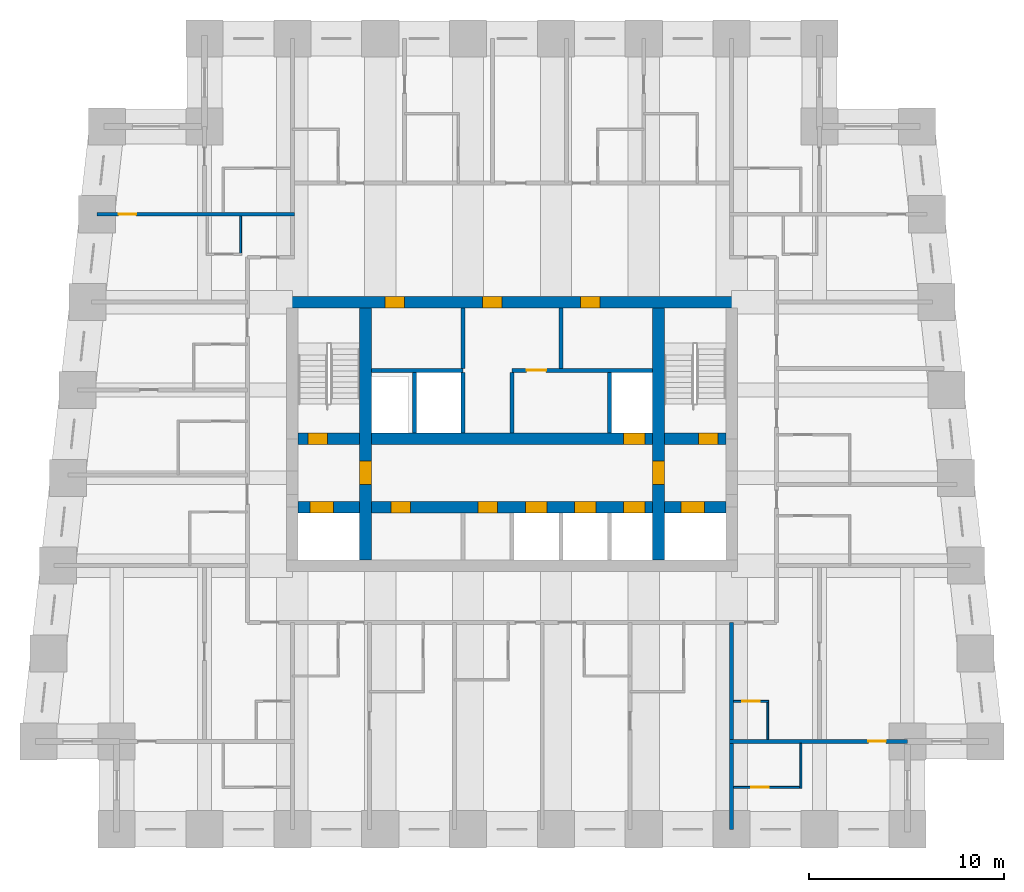
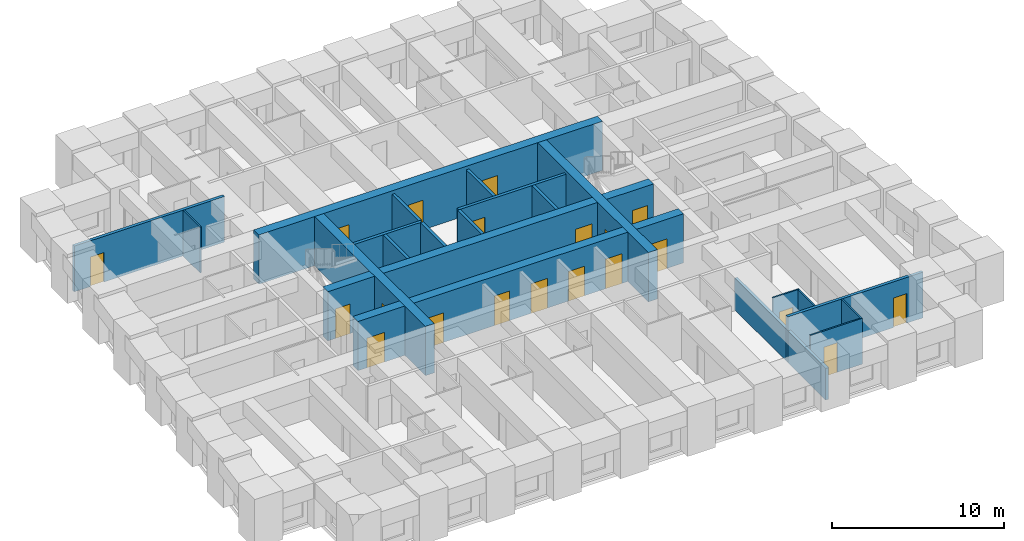
# One storey, part 4 of 8: 21 walls, 20 doors, 20 openings.
"""IFC4 building model written with IfcOpenShell, lengths in metres."""

from ifc_helpers import new_model, si_unit, direction, frame, frame_2d, origin, place, context, subcontext, project, spatial, rectangle, extrude, material, layer, layer_set, type_object, element, fill, save


model = new_model("IFC4")

# Units and contexts
model_context = context("Model", 3, precision=1e-05, world=origin(), true_north=direction((0.0, 1.0)))
body_context = subcontext(model_context, "Body", "Model", "MODEL_VIEW")
ifc_project = project(units=[si_unit("LENGTHUNIT", "METRE"), si_unit("AREAUNIT", "SQUARE_METRE"), si_unit("VOLUMEUNIT", "CUBIC_METRE"), si_unit("PLANEANGLEUNIT", "RADIAN"), si_unit("MASSUNIT", "GRAM", prefix="KILO")], contexts=[model_context])

# Site, building, storey
site_placement = place(None, origin())
site = spatial("IfcSite", under=ifc_project, at=site_placement, CompositionType="ELEMENT")
building_placement = place(site_placement, origin())
building = spatial("IfcBuilding", under=site, at=building_placement, Name="Kilele Tower Hotel", CompositionType="ELEMENT")
storey_placement = place(building_placement, frame((0.0, 0.0, 110.89990234375)))
storey = spatial("IfcBuildingStorey", under=building, at=storey_placement, Name="L28", CompositionType="ELEMENT", Elevation=110.89990234375)

# Wall
ifc_material_1 = material(Name="Moisture-resistant board")
ifc_layer_1 = layer(ifc_material_1, 0.10009765625)
ifc_layer_set_1 = layer_set([ifc_layer_1], Name="Moisture-resistant board")
wall_type_1 = type_object("IfcWallType", Name="Bathroom partition 100", PredefinedType="PLUMBINGWALL", material=ifc_layer_set_1)
wall_1_placement = place(storey_placement, frame((37.85009765625, 4.60009765625, 0.0), z_axis=(0.0, 0.0, 1.0), x_axis=(0.0, 1.0, 0.0)))
element("IfcWall", 1, at=wall_1_placement, inside=storey, type_object=wall_type_1, Name="Bathroom partition 100 L28", PredefinedType="PLUMBINGWALL", context=body_context, shape_type="SweptSolid", body=[
    extrude(rectangle(XDim=2.0, YDim=0.10009765625, at=frame_2d((1.0, 0.0))), origin(), (0.0, 0.0, 1.0), 3.25),
])

# Wall, opening, door
wall_2_placement = place(storey_placement, frame((36.10009765625, 6.550048828125, 0.0), z_axis=(0.0, 0.0, 1.0), x_axis=(1.0, 0.0, 0.0)))
wall_2 = element("IfcWall", 2, at=wall_2_placement, inside=storey, type_object=wall_type_1, Name="Bathroom partition 100 L28", PredefinedType="PLUMBINGWALL", context=body_context, shape_type="SweptSolid", body=[
    extrude(rectangle(XDim=1.7998046875, YDim=0.10009765625, at=frame_2d((0.89990234375, 0.0))), origin(), (0.0, 0.0, 1.0), 3.25),
])
opening_1_placement = place(wall_2_placement, frame((0.449951171875, 0.0, 0.0)))
opening_1 = element("IfcOpeningElement", 3, at=opening_1_placement, cuts=wall_2, Name="Opening D2A", PredefinedType="OPENING", context=body_context, shape_type="SweptSolid", body=[
    extrude(rectangle(XDim=0.89990234375, YDim=2.10009765625, at=frame_2d((0.449951171875, 1.050048828125))), frame((0.0, 0.06005859375, 0.0), z_axis=(0.0, -1.0, 0.0), x_axis=(1.0, 0.0, 0.0)), (0.0, 0.0, 1.0), 0.1201171875),
])
ifc_material_2 = material(Name="Timber door leaf in hardwood frame", Category="wood")
door_type_1 = type_object("IfcDoorType", Name="Bathroom door 900", OperationType="SINGLE_SWING_LEFT", PredefinedType="DOOR", material=ifc_material_2)
door_1_placement = place(opening_1_placement, origin())
door_1 = element("IfcDoor", 4, at=door_1_placement, inside=storey, type_object=door_type_1, Name="Bathroom door 2820P", OperationType="SINGLE_SWING_LEFT", OverallHeight=2.10009765625, OverallWidth=0.89990234375, PredefinedType="DOOR", context=body_context, shape_type="SweptSolid", body=[
    extrude(rectangle(XDim=0.89990234375, YDim=2.10009765625, at=frame_2d((0.449951171875, 1.050048828125))), frame((0.0, 0.02490234375, 0.0), z_axis=(0.0, -1.0, 0.0), x_axis=(1.0, 0.0, 0.0)), (0.0, 0.0, 1.0), 0.050048828125),
])
fill(opening_1, door_1)

# Wall
wall_3_placement = place(storey_placement, frame((39.550048828125, 4.39990234375, 0.0), z_axis=(0.0, 0.0, 1.0), x_axis=(0.0, -1.0, 0.0)))
element("IfcWall", 5, at=wall_3_placement, inside=storey, type_object=wall_type_1, Name="Bathroom partition 100 L28", PredefinedType="PLUMBINGWALL", context=body_context, shape_type="SweptSolid", body=[
    extrude(rectangle(XDim=2.2998046875, YDim=0.10009765625, at=frame_2d((1.14990234375, 0.0))), origin(), (0.0, 0.0, 1.0), 3.25),
])

# Wall, opening, door
wall_4_placement = place(storey_placement, frame((36.10009765625, 2.14990234375, 0.0), z_axis=(0.0, 0.0, 1.0), x_axis=(1.0, 0.0, 0.0)))
wall_4 = element("IfcWall", 6, at=wall_4_placement, inside=storey, type_object=wall_type_1, Name="Bathroom partition 100 L28", PredefinedType="PLUMBINGWALL", context=body_context, shape_type="SweptSolid", body=[
    extrude(rectangle(XDim=3.5, YDim=0.10009765625, at=frame_2d((1.75, 0.0))), origin(), (0.0, 0.0, 1.0), 3.25),
])
opening_2_placement = place(wall_4_placement, frame((1.7998046875, 0.0, 0.0), z_axis=(0.0, 0.0, 1.0), x_axis=(-1.0, 0.0, 0.0)))
opening_2 = element("IfcOpeningElement", 7, at=opening_2_placement, cuts=wall_4, Name="Opening D2A", PredefinedType="OPENING", context=body_context, shape_type="SweptSolid", body=[
    extrude(rectangle(XDim=0.89990234375, YDim=2.10009765625, at=frame_2d((0.449951171875, 1.050048828125))), frame((0.0, 0.06005859375, 0.0), z_axis=(0.0, -1.0, 0.0), x_axis=(1.0, 0.0, 0.0)), (0.0, 0.0, 1.0), 0.1201171875),
])
door_2_placement = place(opening_2_placement, origin())
door_2 = element("IfcDoor", 8, at=door_2_placement, inside=storey, type_object=door_type_1, Name="Bathroom door 2822B", OperationType="SINGLE_SWING_RIGHT", OverallHeight=2.10009765625, OverallWidth=0.89990234375, PredefinedType="DOOR", context=body_context, shape_type="SweptSolid", body=[
    extrude(rectangle(XDim=0.89990234375, YDim=2.10009765625, at=frame_2d((0.449951171875, 1.050048828125))), frame((0.0, 0.02490234375, 0.0), z_axis=(0.0, -1.0, 0.0), x_axis=(1.0, 0.0, 0.0)), (0.0, 0.0, 1.0), 0.050048828125),
])
fill(opening_2, door_2)

# Wall
wall_5_placement = place(storey_placement, frame((10.85009765625, 31.39990234375, 0.0), z_axis=(0.0, 0.0, 1.0), x_axis=(0.0, -1.0, 0.0)))
element("IfcWall", 9, at=wall_5_placement, inside=storey, type_object=wall_type_1, Name="Bathroom partition 100 L28", PredefinedType="PLUMBINGWALL", context=body_context, shape_type="SweptSolid", body=[
    extrude(rectangle(XDim=2.0, YDim=0.10009765625, at=frame_2d((1.0, 0.0))), origin(), (0.0, 0.0, 1.0), 3.25),
])

# Wall, openings, doors
ifc_material_3 = material(Name="Concrete C60/75", Category="concrete")
ifc_layer_2 = layer(ifc_material_3, 0.60009765625)
ifc_layer_set_2 = layer_set([ifc_layer_2], Name="Concrete C60/75")
wall_type_2 = type_object("IfcWallType", Name="Core wall 600 C60/75", PredefinedType="SHEAR", material=ifc_layer_set_2)
wall_6_placement = place(storey_placement, frame((36.300048828125, 27.0, 0.0), z_axis=(0.0, 0.0, 1.0), x_axis=(-1.0, 0.0, 0.0)))
wall_6 = element("IfcWall", 10, at=wall_6_placement, inside=storey, type_object=wall_type_2, Name="Core wall N L28", PredefinedType="SHEAR", context=body_context, shape_type="SweptSolid", body=[
    extrude(rectangle(XDim=23.10009765625, YDim=0.60009765625, at=frame_2d((11.550048828125, 0.0))), origin(), (0.0, 0.0, 1.0), 3.5),
])
opening_3_placement = place(wall_6_placement, frame((17.050048828125, 0.0, 0.0)))
opening_3 = element("IfcOpeningElement", 11, at=opening_3_placement, cuts=wall_6, Name="Opening D6", PredefinedType="OPENING", context=body_context, shape_type="SweptSolid", body=[
    extrude(rectangle(XDim=1.0, YDim=2.10009765625, at=frame_2d((0.5, 1.050048828125))), frame((0.0, 0.31005859375, 0.0), z_axis=(0.0, -1.0, 0.0), x_axis=(1.0, 0.0, 0.0)), (0.0, 0.0, 1.0), 0.6201171875),
])
opening_4_placement = place(wall_6_placement, frame((12.050048828125, 0.0, 0.0)))
opening_4 = element("IfcOpeningElement", 12, at=opening_4_placement, cuts=wall_6, Name="Opening D6", PredefinedType="OPENING", context=body_context, shape_type="SweptSolid", body=[
    extrude(rectangle(XDim=1.0, YDim=2.10009765625, at=frame_2d((0.5, 1.050048828125))), frame((0.0, 0.31005859375, 0.0), z_axis=(0.0, -1.0, 0.0), x_axis=(1.0, 0.0, 0.0)), (0.0, 0.0, 1.0), 0.6201171875),
])
opening_5_placement = place(wall_6_placement, frame((7.050048828125, 0.0, 0.0)))
opening_5 = element("IfcOpeningElement", 13, at=opening_5_placement, cuts=wall_6, Name="Opening D6", PredefinedType="OPENING", context=body_context, shape_type="SweptSolid", body=[
    extrude(rectangle(XDim=1.0, YDim=2.10009765625, at=frame_2d((0.5, 1.050048828125))), frame((0.0, 0.31005859375, 0.0), z_axis=(0.0, -1.0, 0.0), x_axis=(1.0, 0.0, 0.0)), (0.0, 0.0, 1.0), 0.6201171875),
])
ifc_material_4 = material(Name="Timber door leaf in hardwood frame", Category="wood")
door_type_2 = type_object("IfcDoorType", Name="Riser door 1000", OperationType="SINGLE_SWING_LEFT", PredefinedType="DOOR", material=ifc_material_4)
door_3_placement = place(opening_3_placement, origin())
door_3 = element("IfcDoor", 14, at=door_3_placement, inside=storey, type_object=door_type_2, Name="Service riser door L28", OperationType="SINGLE_SWING_RIGHT", OverallHeight=2.10009765625, OverallWidth=1.0, PredefinedType="DOOR", context=body_context, shape_type="SweptSolid", body=[
    extrude(rectangle(XDim=1.0, YDim=2.10009765625, at=frame_2d((0.5, 1.050048828125))), frame((0.0, 0.2998046875, 0.0), z_axis=(0.0, -1.0, 0.0), x_axis=(1.0, 0.0, 0.0)), (0.0, 0.0, 1.0), 0.599609375),
])
fill(opening_3, door_3)
door_4_placement = place(opening_4_placement, origin())
door_4 = element("IfcDoor", 15, at=door_4_placement, inside=storey, type_object=door_type_2, Name="Linen store door L28", OperationType="SINGLE_SWING_RIGHT", OverallHeight=2.10009765625, OverallWidth=1.0, PredefinedType="DOOR", context=body_context, shape_type="SweptSolid", body=[
    extrude(rectangle(XDim=1.0, YDim=2.10009765625, at=frame_2d((0.5, 1.050048828125))), frame((0.0, 0.2998046875, 0.0), z_axis=(0.0, -1.0, 0.0), x_axis=(1.0, 0.0, 0.0)), (0.0, 0.0, 1.0), 0.599609375),
])
fill(opening_4, door_4)
door_5_placement = place(opening_5_placement, origin())
door_5 = element("IfcDoor", 16, at=door_5_placement, inside=storey, type_object=door_type_2, Name="Electrical riser door L28", OperationType="SINGLE_SWING_RIGHT", OverallHeight=2.10009765625, OverallWidth=1.0, PredefinedType="DOOR", context=body_context, shape_type="SweptSolid", body=[
    extrude(rectangle(XDim=1.0, YDim=2.10009765625, at=frame_2d((0.5, 1.050048828125))), frame((0.0, 0.2998046875, 0.0), z_axis=(0.0, -1.0, 0.0), x_axis=(1.0, 0.0, 0.0)), (0.0, 0.0, 1.0), 0.599609375),
])
fill(opening_5, door_5)

# Wall, opening, door
wall_7_placement = place(storey_placement, frame((17.25, 13.800048828125, 0.0), z_axis=(0.0, 0.0, 1.0), x_axis=(0.0, 1.0, 0.0)))
wall_7 = element("IfcWall", 17, at=wall_7_placement, inside=storey, type_object=wall_type_2, Name="Core wall IW L28", PredefinedType="SHEAR", context=body_context, shape_type="SweptSolid", body=[
    extrude(rectangle(XDim=12.89990234375, YDim=0.60009765625, at=frame_2d((6.449951171875, 0.0))), origin(), (0.0, 0.0, 1.0), 3.5),
])
opening_6_placement = place(wall_7_placement, frame((3.85009765625, 0.0, 0.0)))
opening_6 = element("IfcOpeningElement", 18, at=opening_6_placement, cuts=wall_7, Name="Opening D4", PredefinedType="OPENING", context=body_context, shape_type="SweptSolid", body=[
    extrude(rectangle(XDim=1.199951171875, YDim=2.10009765625, at=frame_2d((0.60009765625, 1.050048828125))), frame((0.0, 0.31005859375, 0.0), z_axis=(0.0, -1.0, 0.0), x_axis=(1.0, 0.0, 0.0)), (0.0, 0.0, 1.0), 0.6201171875),
])
ifc_material_5 = material(Name="Timber door leaf in hardwood frame", Category="wood")
door_type_3 = type_object("IfcDoorType", Name="Firefighting lobby door 1200", OperationType="SINGLE_SWING_LEFT", PredefinedType="DOOR", material=ifc_material_5)
door_6_placement = place(opening_6_placement, origin())
door_6 = element("IfcDoor", 19, at=door_6_placement, inside=storey, type_object=door_type_3, Name="Lobby door L28", OperationType="SINGLE_SWING_LEFT", OverallHeight=2.10009765625, OverallWidth=1.199951171875, PredefinedType="DOOR", context=body_context, shape_type="SweptSolid", body=[
    extrude(rectangle(XDim=1.199951171875, YDim=2.10009765625, at=frame_2d((0.60009765625, 1.050048828125))), frame((0.0, 0.2998046875, 0.0), z_axis=(0.0, -1.0, 0.0), x_axis=(1.0, 0.0, 0.0)), (0.0, 0.0, 1.0), 0.599609375),
])
fill(opening_6, door_6)

wall_8_placement = place(storey_placement, frame((32.25, 13.800048828125, 0.0), z_axis=(0.0, 0.0, 1.0), x_axis=(0.0, 1.0, 0.0)))
wall_8 = element("IfcWall", 20, at=wall_8_placement, inside=storey, type_object=wall_type_2, Name="Core wall IE L28", PredefinedType="SHEAR", context=body_context, shape_type="SweptSolid", body=[
    extrude(rectangle(XDim=12.89990234375, YDim=0.60009765625, at=frame_2d((6.449951171875, 0.0))), origin(), (0.0, 0.0, 1.0), 3.5),
])
opening_7_placement = place(wall_8_placement, frame((5.050048828125, 0.0, 0.0), z_axis=(0.0, 0.0, 1.0), x_axis=(-1.0, 0.0, 0.0)))
opening_7 = element("IfcOpeningElement", 21, at=opening_7_placement, cuts=wall_8, Name="Opening D4", PredefinedType="OPENING", context=body_context, shape_type="SweptSolid", body=[
    extrude(rectangle(XDim=1.199951171875, YDim=2.10009765625, at=frame_2d((0.60009765625, 1.050048828125))), frame((0.0, 0.31005859375, 0.0), z_axis=(0.0, -1.0, 0.0), x_axis=(1.0, 0.0, 0.0)), (0.0, 0.0, 1.0), 0.6201171875),
])
door_7_placement = place(opening_7_placement, origin())
door_7 = element("IfcDoor", 22, at=door_7_placement, inside=storey, type_object=door_type_3, Name="Lobby door L28", OperationType="SINGLE_SWING_RIGHT", OverallHeight=2.10009765625, OverallWidth=1.199951171875, PredefinedType="DOOR", context=body_context, shape_type="SweptSolid", body=[
    extrude(rectangle(XDim=1.199951171875, YDim=2.10009765625, at=frame_2d((0.60009765625, 1.050048828125))), frame((0.0, 0.2998046875, 0.0), z_axis=(0.0, -1.0, 0.0), x_axis=(1.0, 0.0, 0.0)), (0.0, 0.0, 1.0), 0.599609375),
])
fill(opening_7, door_7)

# Wall, openings, doors
wall_9_placement = place(storey_placement, frame((13.800048828125, 16.5, 0.0), z_axis=(0.0, 0.0, 1.0), x_axis=(1.0, 0.0, 0.0)))
wall_9 = element("IfcWall", 23, at=wall_9_placement, inside=storey, type_object=wall_type_2, Name="Core wall LS L28", PredefinedType="SHEAR", context=body_context, shape_type="SweptSolid", body=[
    extrude(rectangle(XDim=21.89990234375, YDim=0.60009765625, at=frame_2d((10.949951171875, 0.0))), origin(), (0.0, 0.0, 1.0), 3.5),
])
opening_8_placement = place(wall_9_placement, frame((11.64990234375, 0.0, 0.0)))
opening_8 = element("IfcOpeningElement", 24, at=opening_8_placement, cuts=wall_9, Name="Opening LD1", PredefinedType="OPENING", context=body_context, shape_type="SweptSolid", body=[
    extrude(rectangle(XDim=1.10009765625, YDim=2.10009765625, at=frame_2d((0.550048828125, 1.050048828125))), frame((0.0, 0.31005859375, 0.0), z_axis=(0.0, -1.0, 0.0), x_axis=(1.0, 0.0, 0.0)), (0.0, 0.0, 1.0), 0.6201171875),
])
opening_9_placement = place(wall_9_placement, frame((14.14990234375, 0.0, 0.0)))
opening_9 = element("IfcOpeningElement", 25, at=opening_9_placement, cuts=wall_9, Name="Opening LD1", PredefinedType="OPENING", context=body_context, shape_type="SweptSolid", body=[
    extrude(rectangle(XDim=1.10009765625, YDim=2.10009765625, at=frame_2d((0.550048828125, 1.050048828125))), frame((0.0, 0.31005859375, 0.0), z_axis=(0.0, -1.0, 0.0), x_axis=(1.0, 0.0, 0.0)), (0.0, 0.0, 1.0), 0.6201171875),
])
opening_10_placement = place(wall_9_placement, frame((16.64990234375, 0.0, 0.0)))
opening_10 = element("IfcOpeningElement", 26, at=opening_10_placement, cuts=wall_9, Name="Opening LD1", PredefinedType="OPENING", context=body_context, shape_type="SweptSolid", body=[
    extrude(rectangle(XDim=1.10009765625, YDim=2.10009765625, at=frame_2d((0.550048828125, 1.050048828125))), frame((0.0, 0.31005859375, 0.0), z_axis=(0.0, -1.0, 0.0), x_axis=(1.0, 0.0, 0.0)), (0.0, 0.0, 1.0), 0.6201171875),
])
opening_11_placement = place(wall_9_placement, frame((5.75, 0.0, 0.0), z_axis=(0.0, 0.0, 1.0), x_axis=(-1.0, 0.0, 0.0)))
opening_11 = element("IfcOpeningElement", 27, at=opening_11_placement, cuts=wall_9, Name="Opening D11", PredefinedType="OPENING", context=body_context, shape_type="SweptSolid", body=[
    extrude(rectangle(XDim=1.0, YDim=2.10009765625, at=frame_2d((0.5, 1.050048828125))), frame((0.0, 0.31005859375, 0.0), z_axis=(0.0, -1.0, 0.0), x_axis=(1.0, 0.0, 0.0)), (0.0, 0.0, 1.0), 0.6201171875),
])
opening_12_placement = place(wall_9_placement, frame((10.199951171875, 0.0, 0.0), z_axis=(0.0, 0.0, 1.0), x_axis=(-1.0, 0.0, 0.0)))
opening_12 = element("IfcOpeningElement", 28, at=opening_12_placement, cuts=wall_9, Name="Opening D11", PredefinedType="OPENING", context=body_context, shape_type="SweptSolid", body=[
    extrude(rectangle(XDim=1.0, YDim=2.10009765625, at=frame_2d((0.5, 1.050048828125))), frame((0.0, 0.31005859375, 0.0), z_axis=(0.0, -1.0, 0.0), x_axis=(1.0, 0.0, 0.0)), (0.0, 0.0, 1.0), 0.6201171875),
])
opening_13_placement = place(wall_9_placement, frame((0.60009765625, 0.0, 0.0)))
opening_13 = element("IfcOpeningElement", 29, at=opening_13_placement, cuts=wall_9, Name="Opening LD2", PredefinedType="OPENING", context=body_context, shape_type="SweptSolid", body=[
    extrude(rectangle(XDim=1.199951171875, YDim=2.10009765625, at=frame_2d((0.60009765625, 1.050048828125))), frame((0.0, 0.31005859375, 0.0), z_axis=(0.0, -1.0, 0.0), x_axis=(1.0, 0.0, 0.0)), (0.0, 0.0, 1.0), 0.6201171875),
])
opening_14_placement = place(wall_9_placement, frame((19.60009765625, 0.0, 0.0)))
opening_14 = element("IfcOpeningElement", 30, at=opening_14_placement, cuts=wall_9, Name="Opening LD2", PredefinedType="OPENING", context=body_context, shape_type="SweptSolid", body=[
    extrude(rectangle(XDim=1.199951171875, YDim=2.10009765625, at=frame_2d((0.60009765625, 1.050048828125))), frame((0.0, 0.31005859375, 0.0), z_axis=(0.0, -1.0, 0.0), x_axis=(1.0, 0.0, 0.0)), (0.0, 0.0, 1.0), 0.6201171875),
])
ifc_material_6 = material(Name="Timber door leaf in hardwood frame", Category="wood")
door_type_4 = type_object("IfcDoorType", Name="Core store door 1000", OperationType="SINGLE_SWING_LEFT", PredefinedType="DOOR", material=ifc_material_6)
door_8_placement = place(opening_11_placement, origin())
door_8 = element("IfcDoor", 31, at=door_8_placement, inside=storey, type_object=door_type_4, Name="Core room door L1 L28", OperationType="SINGLE_SWING_RIGHT", OverallHeight=2.10009765625, OverallWidth=1.0, PredefinedType="DOOR", context=body_context, shape_type="SweptSolid", body=[
    extrude(rectangle(XDim=1.0, YDim=2.10009765625, at=frame_2d((0.5, 1.050048828125))), frame((0.0, 0.2998046875, 0.0), z_axis=(0.0, -1.0, 0.0), x_axis=(1.0, 0.0, 0.0)), (0.0, 0.0, 1.0), 0.599609375),
])
fill(opening_11, door_8)
door_9_placement = place(opening_12_placement, origin())
door_9 = element("IfcDoor", 32, at=door_9_placement, inside=storey, type_object=door_type_4, Name="Core room door L3 L28", OperationType="SINGLE_SWING_RIGHT", OverallHeight=2.10009765625, OverallWidth=1.0, PredefinedType="DOOR", context=body_context, shape_type="SweptSolid", body=[
    extrude(rectangle(XDim=1.0, YDim=2.10009765625, at=frame_2d((0.5, 1.050048828125))), frame((0.0, 0.2998046875, 0.0), z_axis=(0.0, -1.0, 0.0), x_axis=(1.0, 0.0, 0.0)), (0.0, 0.0, 1.0), 0.599609375),
])
fill(opening_12, door_9)
ifc_material_7 = material(Name="Steel lift landing door", Category="steel")
door_type_5 = type_object("IfcDoorType", Name="Firefighting lift landing door 1200", OperationType="SLIDING_TO_LEFT", PredefinedType="DOOR", material=ifc_material_7)
door_10_placement = place(opening_13_placement, origin())
door_10 = element("IfcDoor", 33, at=door_10_placement, inside=storey, type_object=door_type_5, Name="Landing door FFW L28", OperationType="SLIDING_TO_LEFT", OverallHeight=2.10009765625, OverallWidth=1.199951171875, PredefinedType="DOOR", context=body_context, shape_type="SweptSolid", body=[
    extrude(rectangle(XDim=1.199951171875, YDim=2.10009765625, at=frame_2d((0.60009765625, 1.050048828125))), frame((0.0, 0.2998046875, 0.0), z_axis=(0.0, -1.0, 0.0), x_axis=(1.0, 0.0, 0.0)), (0.0, 0.0, 1.0), 0.599609375),
])
fill(opening_13, door_10)
door_11_placement = place(opening_14_placement, origin())
door_11 = element("IfcDoor", 34, at=door_11_placement, inside=storey, type_object=door_type_5, Name="Landing door FFE L28", OperationType="SLIDING_TO_LEFT", OverallHeight=2.10009765625, OverallWidth=1.199951171875, PredefinedType="DOOR", context=body_context, shape_type="SweptSolid", body=[
    extrude(rectangle(XDim=1.199951171875, YDim=2.10009765625, at=frame_2d((0.60009765625, 1.050048828125))), frame((0.0, 0.2998046875, 0.0), z_axis=(0.0, -1.0, 0.0), x_axis=(1.0, 0.0, 0.0)), (0.0, 0.0, 1.0), 0.599609375),
])
fill(opening_14, door_11)
ifc_material_8 = material(Name="Steel lift landing door", Category="steel")
door_type_6 = type_object("IfcDoorType", Name="Lift landing door 1100", OperationType="SLIDING_TO_LEFT", PredefinedType="DOOR", material=ifc_material_8)
door_12_placement = place(opening_8_placement, origin())
door_12 = element("IfcDoor", 35, at=door_12_placement, inside=storey, type_object=door_type_6, Name="Landing door M1 L28", OperationType="SLIDING_TO_LEFT", OverallHeight=2.10009765625, OverallWidth=1.10009765625, PredefinedType="DOOR", context=body_context, shape_type="SweptSolid", body=[
    extrude(rectangle(XDim=1.10009765625, YDim=2.10009765625, at=frame_2d((0.550048828125, 1.050048828125))), frame((0.0, 0.2998046875, 0.0), z_axis=(0.0, -1.0, 0.0), x_axis=(1.0, 0.0, 0.0)), (0.0, 0.0, 1.0), 0.599609375),
])
fill(opening_8, door_12)
door_13_placement = place(opening_9_placement, origin())
door_13 = element("IfcDoor", 36, at=door_13_placement, inside=storey, type_object=door_type_6, Name="Landing door M2 L28", OperationType="SLIDING_TO_LEFT", OverallHeight=2.10009765625, OverallWidth=1.10009765625, PredefinedType="DOOR", context=body_context, shape_type="SweptSolid", body=[
    extrude(rectangle(XDim=1.10009765625, YDim=2.10009765625, at=frame_2d((0.550048828125, 1.050048828125))), frame((0.0, 0.2998046875, 0.0), z_axis=(0.0, -1.0, 0.0), x_axis=(1.0, 0.0, 0.0)), (0.0, 0.0, 1.0), 0.599609375),
])
fill(opening_9, door_13)
door_14_placement = place(opening_10_placement, origin())
door_14 = element("IfcDoor", 37, at=door_14_placement, inside=storey, type_object=door_type_6, Name="Landing door M3 L28", OperationType="SLIDING_TO_LEFT", OverallHeight=2.10009765625, OverallWidth=1.10009765625, PredefinedType="DOOR", context=body_context, shape_type="SweptSolid", body=[
    extrude(rectangle(XDim=1.10009765625, YDim=2.10009765625, at=frame_2d((0.550048828125, 1.050048828125))), frame((0.0, 0.2998046875, 0.0), z_axis=(0.0, -1.0, 0.0), x_axis=(1.0, 0.0, 0.0)), (0.0, 0.0, 1.0), 0.599609375),
])
fill(opening_10, door_14)

wall_10_placement = place(storey_placement, frame((13.800048828125, 20.0, 0.0), z_axis=(0.0, 0.0, 1.0), x_axis=(1.0, 0.0, 0.0)))
wall_10 = element("IfcWall", 38, at=wall_10_placement, inside=storey, type_object=wall_type_2, Name="Core wall LN L28", PredefinedType="SHEAR", context=body_context, shape_type="SweptSolid", body=[
    extrude(rectangle(XDim=21.89990234375, YDim=0.60009765625, at=frame_2d((10.949951171875, 0.0))), origin(), (0.0, 0.0, 1.0), 3.5),
])
opening_15_placement = place(wall_10_placement, frame((0.5, 0.0, 0.0)))
opening_15 = element("IfcOpeningElement", 39, at=opening_15_placement, cuts=wall_10, Name="Opening D5", PredefinedType="OPENING", context=body_context, shape_type="SweptSolid", body=[
    extrude(rectangle(XDim=1.0, YDim=2.10009765625, at=frame_2d((0.5, 1.050048828125))), frame((0.0, 0.31005859375, 0.0), z_axis=(0.0, -1.0, 0.0), x_axis=(1.0, 0.0, 0.0)), (0.0, 0.0, 1.0), 0.6201171875),
])
opening_16_placement = place(wall_10_placement, frame((20.5, 0.0, 0.0)))
opening_16 = element("IfcOpeningElement", 40, at=opening_16_placement, cuts=wall_10, Name="Opening D5", PredefinedType="OPENING", context=body_context, shape_type="SweptSolid", body=[
    extrude(rectangle(XDim=1.0, YDim=2.10009765625, at=frame_2d((0.5, 1.050048828125))), frame((0.0, 0.31005859375, 0.0), z_axis=(0.0, -1.0, 0.0), x_axis=(1.0, 0.0, 0.0)), (0.0, 0.0, 1.0), 0.6201171875),
])
opening_17_placement = place(wall_10_placement, frame((16.64990234375, 0.0, 0.0)))
opening_17 = element("IfcOpeningElement", 41, at=opening_17_placement, cuts=wall_10, Name="Opening LD1", PredefinedType="OPENING", context=body_context, shape_type="SweptSolid", body=[
    extrude(rectangle(XDim=1.10009765625, YDim=2.10009765625, at=frame_2d((0.550048828125, 1.050048828125))), frame((0.0, 0.31005859375, 0.0), z_axis=(0.0, -1.0, 0.0), x_axis=(1.0, 0.0, 0.0)), (0.0, 0.0, 1.0), 0.6201171875),
])
door_15_placement = place(opening_17_placement, origin())
door_15 = element("IfcDoor", 42, at=door_15_placement, inside=storey, type_object=door_type_6, Name="Landing door G1 L28", OperationType="SLIDING_TO_LEFT", OverallHeight=2.10009765625, OverallWidth=1.10009765625, PredefinedType="DOOR", context=body_context, shape_type="SweptSolid", body=[
    extrude(rectangle(XDim=1.10009765625, YDim=2.10009765625, at=frame_2d((0.550048828125, 1.050048828125))), frame((0.0, 0.2998046875, 0.0), z_axis=(0.0, -1.0, 0.0), x_axis=(1.0, 0.0, 0.0)), (0.0, 0.0, 1.0), 0.599609375),
])
fill(opening_17, door_15)
ifc_material_9 = material(Name="Timber door leaf in hardwood frame", Category="wood")
door_type_7 = type_object("IfcDoorType", Name="Stair door 1000", OperationType="SINGLE_SWING_LEFT", PredefinedType="DOOR", material=ifc_material_9)
door_16_placement = place(opening_15_placement, origin())
door_16 = element("IfcDoor", 43, at=door_16_placement, inside=storey, type_object=door_type_7, Name="Stair 1 door L28", OperationType="SINGLE_SWING_LEFT", OverallHeight=2.10009765625, OverallWidth=1.0, PredefinedType="DOOR", context=body_context, shape_type="SweptSolid", body=[
    extrude(rectangle(XDim=1.0, YDim=2.10009765625, at=frame_2d((0.5, 1.050048828125))), frame((0.0, 0.2998046875, 0.0), z_axis=(0.0, -1.0, 0.0), x_axis=(1.0, 0.0, 0.0)), (0.0, 0.0, 1.0), 0.599609375),
])
fill(opening_15, door_16)
door_17_placement = place(opening_16_placement, origin())
door_17 = element("IfcDoor", 44, at=door_17_placement, inside=storey, type_object=door_type_7, Name="Stair 2 door L28", OperationType="SINGLE_SWING_RIGHT", OverallHeight=2.10009765625, OverallWidth=1.0, PredefinedType="DOOR", context=body_context, shape_type="SweptSolid", body=[
    extrude(rectangle(XDim=1.0, YDim=2.10009765625, at=frame_2d((0.5, 1.050048828125))), frame((0.0, 0.2998046875, 0.0), z_axis=(0.0, -1.0, 0.0), x_axis=(1.0, 0.0, 0.0)), (0.0, 0.0, 1.0), 0.599609375),
])
fill(opening_16, door_17)

# Wall
ifc_material_10 = material(Name="Blockwork, plastered both sides", Category="masonry")
ifc_layer_3 = layer(ifc_material_10, 0.199951171875)
ifc_layer_set_3 = layer_set([ifc_layer_3], Name="Blockwork, plastered both sides")
wall_type_3 = type_object("IfcWallType", Name="Party wall 200", PredefinedType="PARTITIONING", material=ifc_layer_set_3)
wall_11_placement = place(storey_placement, frame((36.0, 10.60009765625, 0.0), z_axis=(0.0, 0.0, 1.0), x_axis=(0.0, -1.0, 0.0)))
element("IfcWall", 45, at=wall_11_placement, inside=storey, type_object=wall_type_3, Name="Party wall 200 L28", PredefinedType="PARTITIONING", context=body_context, shape_type="SweptSolid", body=[
    extrude(rectangle(XDim=10.60009765625, YDim=0.199951171875, at=frame_2d((5.300048828125, 0.0))), origin(), (0.0, 0.0, 1.0), 2.25),
])

# Wall, opening, door
wall_12_placement = place(storey_placement, frame((35.89990234375, 4.5, 0.0), z_axis=(0.0, 0.0, 1.0), x_axis=(1.0, 0.0, 0.0)))
wall_12 = element("IfcWall", 46, at=wall_12_placement, inside=storey, type_object=wall_type_3, Name="Party wall 200 L28", PredefinedType="PARTITIONING", context=body_context, shape_type="SweptSolid", body=[
    extrude(rectangle(XDim=9.10009765625, YDim=0.199951171875, at=frame_2d((4.550048828125, 0.0))), origin(), (0.0, 0.0, 1.0), 3.25),
])
opening_18_placement = place(wall_12_placement, frame((7.10009765625, 0.0, 0.0)))
opening_18 = element("IfcOpeningElement", 47, at=opening_18_placement, cuts=wall_12, Name="Opening D3", PredefinedType="OPENING", context=body_context, shape_type="SweptSolid", body=[
    extrude(rectangle(XDim=0.89990234375, YDim=2.10009765625, at=frame_2d((0.449951171875, 1.050048828125))), frame((0.0, 0.10986328125, 0.0), z_axis=(0.0, -1.0, 0.0), x_axis=(1.0, 0.0, 0.0)), (0.0, 0.0, 1.0), 0.219970703125),
])
ifc_material_11 = material(Name="Timber door leaf in hardwood frame", Category="wood")
door_type_8 = type_object("IfcDoorType", Name="Suite internal door 900", OperationType="SINGLE_SWING_LEFT", PredefinedType="DOOR", material=ifc_material_11)
door_18_placement = place(opening_18_placement, origin())
door_18 = element("IfcDoor", 48, at=door_18_placement, inside=storey, type_object=door_type_8, Name="Suite door 2822", OperationType="SINGLE_SWING_RIGHT", OverallHeight=2.10009765625, OverallWidth=0.89990234375, PredefinedType="DOOR", context=body_context, shape_type="SweptSolid", body=[
    extrude(rectangle(XDim=0.89990234375, YDim=2.10009765625, at=frame_2d((0.449951171875, 1.050048828125))), frame((0.0, 0.02490234375, 0.0), z_axis=(0.0, -1.0, 0.0), x_axis=(1.0, 0.0, 0.0)), (0.0, 0.0, 1.0), 0.050048828125),
])
fill(opening_18, door_18)

wall_13_placement = place(storey_placement, frame((13.60009765625, 31.5, 0.0), z_axis=(0.0, 0.0, 1.0), x_axis=(-1.0, 0.0, 0.0)))
wall_13 = element("IfcWall", 49, at=wall_13_placement, inside=storey, type_object=wall_type_3, Name="Party wall 200 L28", PredefinedType="PARTITIONING", context=body_context, shape_type="SweptSolid", body=[
    extrude(rectangle(XDim=10.09912109375, YDim=0.199951171875, at=frame_2d((5.049560546875, 0.0))), origin(), (0.0, 0.0, 1.0), 3.25),
])
opening_19_placement = place(wall_13_placement, frame((8.9990234375, 0.0, 0.0), z_axis=(0.0, 0.0, 1.0), x_axis=(-1.0, 0.0, 0.0)))
opening_19 = element("IfcOpeningElement", 50, at=opening_19_placement, cuts=wall_13, Name="Opening D3", PredefinedType="OPENING", context=body_context, shape_type="SweptSolid", body=[
    extrude(rectangle(XDim=0.89990234375, YDim=2.10009765625, at=frame_2d((0.449951171875, 1.050048828125))), frame((0.0, 0.10986328125, 0.0), z_axis=(0.0, -1.0, 0.0), x_axis=(1.0, 0.0, 0.0)), (0.0, 0.0, 1.0), 0.219970703125),
])
door_19_placement = place(opening_19_placement, origin())
door_19 = element("IfcDoor", 51, at=door_19_placement, inside=storey, type_object=door_type_8, Name="Suite door 2827", OperationType="SINGLE_SWING_LEFT", OverallHeight=2.10009765625, OverallWidth=0.89990234375, PredefinedType="DOOR", context=body_context, shape_type="SweptSolid", body=[
    extrude(rectangle(XDim=0.89990234375, YDim=2.10009765625, at=frame_2d((0.449951171875, 1.050048828125))), frame((0.0, 0.02490234375, 0.0), z_axis=(0.0, -1.0, 0.0), x_axis=(1.0, 0.0, 0.0)), (0.0, 0.0, 1.0), 0.050048828125),
])
fill(opening_19, door_19)

# Walls
ifc_material_12 = material(Name="Blockwork, fire-rated", Category="masonry")
ifc_layer_4 = layer(ifc_material_12, 0.199951171875)
ifc_layer_set_4 = layer_set([ifc_layer_4], Name="Blockwork, fire-rated")
wall_type_4 = type_object("IfcWallType", Name="Shaft wall 200", PredefinedType="PARTITIONING", material=ifc_layer_set_4)
for number, where, z_axis, x_axis, name in (
    (52, (19.75, 20.300048828125, 0.0), (0.0, 0.0, 1.0), (0.0, 1.0, 0.0), "Shaft wall 200 L28"),
    (53, (22.25, 20.300048828125, 0.0), (0.0, 0.0, 1.0), (0.0, 1.0, 0.0), "Shaft wall 200 L28"),
    (54, (24.75, 20.300048828125, 0.0), (0.0, 0.0, 1.0), (0.0, 1.0, 0.0), "Shaft wall 200 L28"),
    (55, (29.75, 20.300048828125, 0.0), (0.0, 0.0, 1.0), (0.0, 1.0, 0.0), "Shaft wall 200 L28"),
):
    element("IfcWall", number, at=place(storey_placement, frame(where, z_axis=z_axis, x_axis=x_axis)), inside=storey, type_object=wall_type_4, Name=name, PredefinedType="PARTITIONING", context=body_context, shape_type="SweptSolid", body=[
        extrude(rectangle(XDim=3.099853515625, YDim=0.199951171875, at=frame_2d((1.5498046875, 0.0))), origin(), (0.0, 0.0, 1.0), 3.25),
    ])
wall_14_placement = place(storey_placement, frame((17.550048828125, 23.5, 0.0), z_axis=(0.0, 0.0, 1.0), x_axis=(1.0, 0.0, 0.0)))
element("IfcWall", 56, at=wall_14_placement, inside=storey, type_object=wall_type_4, Name="Shaft wall 200 L28", PredefinedType="PARTITIONING", context=body_context, shape_type="SweptSolid", body=[
    extrude(rectangle(XDim=4.699951171875, YDim=0.199951171875, at=frame_2d((2.35009765625, 0.0))), origin(), (0.0, 0.0, 1.0), 3.25),
])

# Wall, opening, door
wall_15_placement = place(storey_placement, frame((24.75, 23.5, 0.0), z_axis=(0.0, 0.0, 1.0), x_axis=(1.0, 0.0, 0.0)))
wall_15 = element("IfcWall", 57, at=wall_15_placement, inside=storey, type_object=wall_type_4, Name="Shaft wall 200 L28", PredefinedType="PARTITIONING", context=body_context, shape_type="SweptSolid", body=[
    extrude(rectangle(XDim=7.199951171875, YDim=0.199951171875, at=frame_2d((3.60009765625, 0.0))), origin(), (0.0, 0.0, 1.0), 3.25),
])
opening_20_placement = place(wall_15_placement, frame((0.75, 0.0, 0.0)))
opening_20 = element("IfcOpeningElement", 58, at=opening_20_placement, cuts=wall_15, Name="Opening D11", PredefinedType="OPENING", context=body_context, shape_type="SweptSolid", body=[
    extrude(rectangle(XDim=1.0, YDim=2.10009765625, at=frame_2d((0.5, 1.050048828125))), frame((0.0, 0.10986328125, 0.0), z_axis=(0.0, -1.0, 0.0), x_axis=(1.0, 0.0, 0.0)), (0.0, 0.0, 1.0), 0.219970703125),
])
door_20_placement = place(opening_20_placement, origin())
door_20 = element("IfcDoor", 59, at=door_20_placement, inside=storey, type_object=door_type_4, Name="Core room door H2", OperationType="SINGLE_SWING_RIGHT", OverallHeight=2.10009765625, OverallWidth=1.0, PredefinedType="DOOR", context=body_context, shape_type="SweptSolid", body=[
    extrude(rectangle(XDim=1.0, YDim=2.10009765625, at=frame_2d((0.5, 1.050048828125))), frame((0.0, 0.02490234375, 0.0), z_axis=(0.0, -1.0, 0.0), x_axis=(1.0, 0.0, 0.0)), (0.0, 0.0, 1.0), 0.050048828125),
])
fill(opening_20, door_20)

# Walls
for number, where, z_axis, x_axis, name in (
    (60, (22.25, 23.60009765625, 0.0), (0.0, 0.0, 1.0), (0.0, 1.0, 0.0), "Shaft wall 200 L28"),
    (61, (27.25, 23.60009765625, 0.0), (0.0, 0.0, 1.0), (0.0, 1.0, 0.0), "Shaft wall 200 L28"),
):
    element("IfcWall", number, at=place(storey_placement, frame(where, z_axis=z_axis, x_axis=x_axis)), inside=storey, type_object=wall_type_4, Name=name, PredefinedType="PARTITIONING", context=body_context, shape_type="SweptSolid", body=[
        extrude(rectangle(XDim=3.099853515625, YDim=0.199951171875, at=frame_2d((1.5498046875, 0.0))), origin(), (0.0, 0.0, 1.0), 3.25),
    ])

save(model, "model.ifc")
